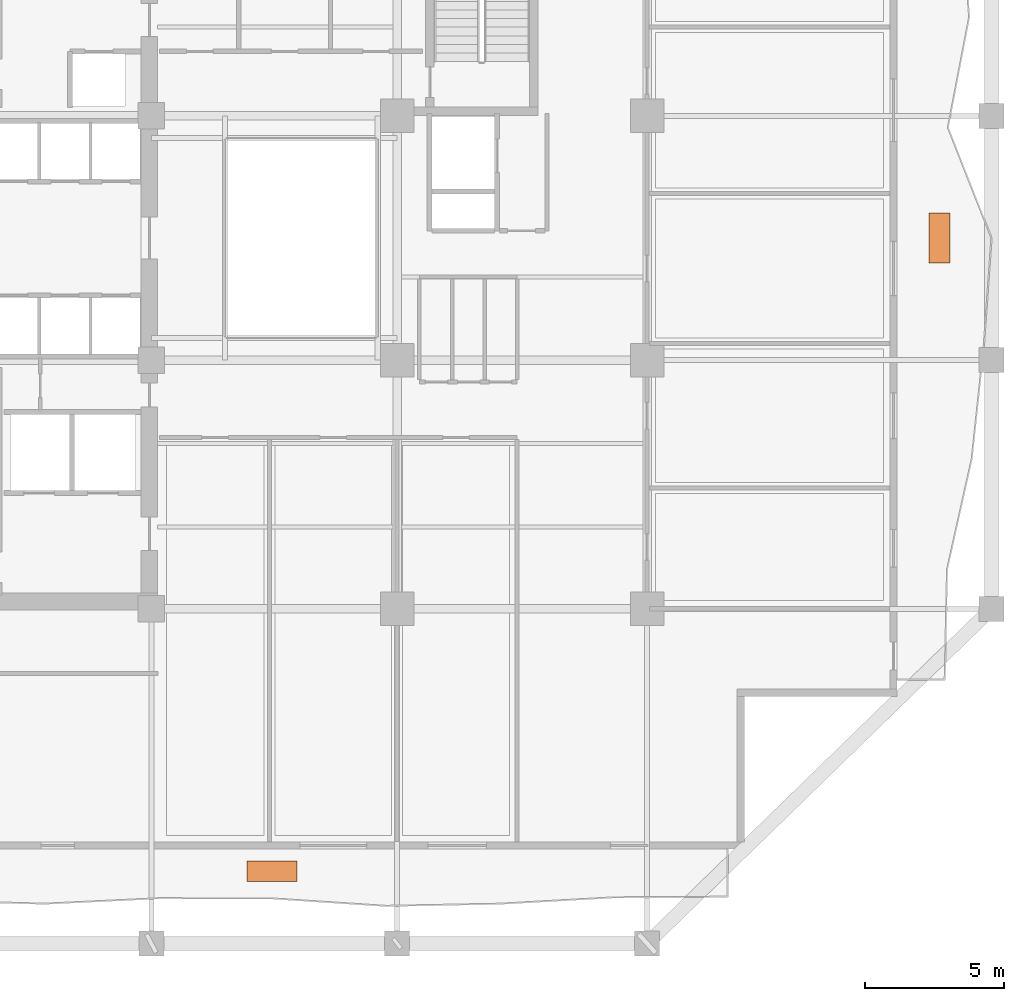
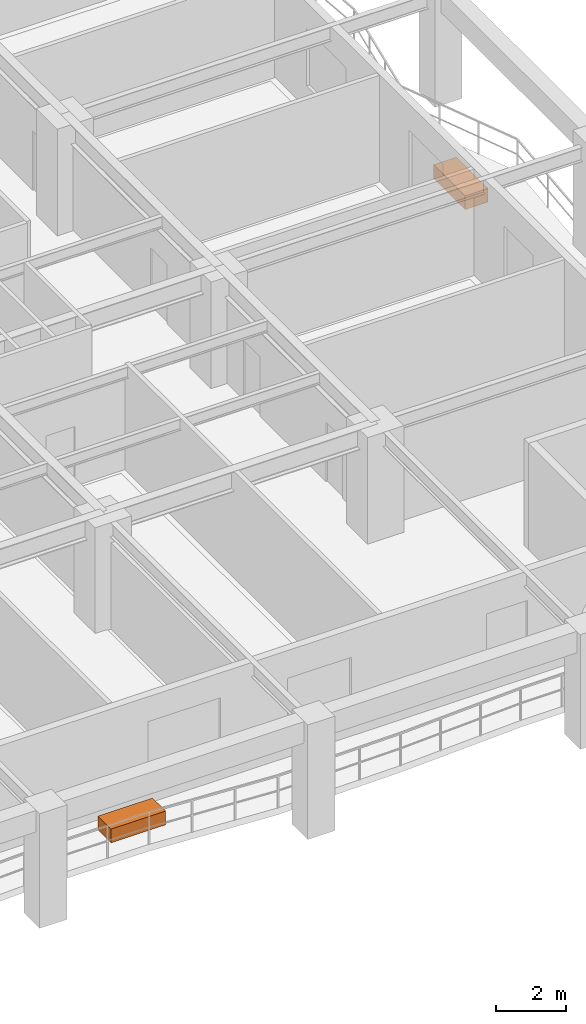
# One storey, part 13 of 13: 2 proxies.
"""IFC4 building model written with IfcOpenShell, lengths in metres."""

from ifc_helpers import new_model, si_unit, direction, frame, origin, origin_2d, place, context, subcontext, project, spatial, rectangle, extrude, material, type_object, element, save


model = new_model("IFC4")

# Units and contexts
model_context = context("Model", 3, precision=1e-05, world=origin(), true_north=direction((0.0, 1.0)))
body_context = subcontext(model_context, "Body", "Model", "MODEL_VIEW")
ifc_project = project(units=[si_unit("LENGTHUNIT", "METRE"), si_unit("AREAUNIT", "SQUARE_METRE"), si_unit("VOLUMEUNIT", "CUBIC_METRE"), si_unit("PLANEANGLEUNIT", "RADIAN"), si_unit("MASSUNIT", "GRAM", prefix="KILO")], contexts=[model_context])

# Site, building, storey
site_placement = place(None, origin())
site = spatial("IfcSite", under=ifc_project, at=site_placement, CompositionType="ELEMENT")
building_placement = place(site_placement, origin())
building = spatial("IfcBuilding", under=site, at=building_placement, Name="Kundavana Baori Tower", CompositionType="ELEMENT")
storey_placement = place(building_placement, frame((0.0, 0.0, 50.0)))
storey = spatial("IfcBuildingStorey", under=building, at=storey_placement, Name="L11", CompositionType="ELEMENT", Elevation=50.0)

# Proxies
ifc_material = material(Name="Red-Buff Dholpur Sandstone Cladding on Concrete C40/50", Category="masonry")
building_element_proxy_type = type_object("IfcBuildingElementProxyType", Name="PRX-PLANTER-1800", PredefinedType="USERDEFINED", material=ifc_material)
for number, where, z_axis, x_axis, name in (
    (1, (29.300048828125, 5.798095703125, 0.0), (0.0, 0.0, 1.0), (1.0, 0.0, 0.0), "L11 Dholpur Stone Structural Tree Planter S"),
    (2, (53.330078125, 28.60009765625, 0.0), (0.0, 0.0, 1.0), (0.0, 1.0, 0.0), "L11 Dholpur Stone Structural Tree Planter E"),
):
    element("IfcBuildingElementProxy", number, at=place(storey_placement, frame(where, z_axis=z_axis, x_axis=x_axis)), inside=storey, type_object=building_element_proxy_type, Name=name, ObjectType="PLANTER", PredefinedType="USERDEFINED", context=body_context, shape_type="SweptSolid", body=[
        extrude(rectangle(XDim=1.800048828125, YDim=0.75, at=origin_2d()), origin(), (0.0, 0.0, 1.0), 0.47998046875),
    ])

save(model, "model.ifc")
